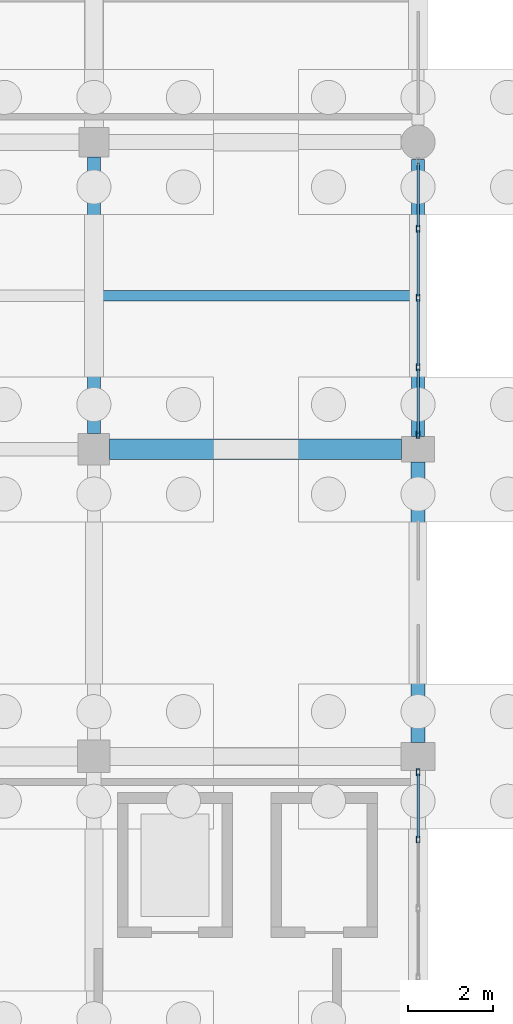
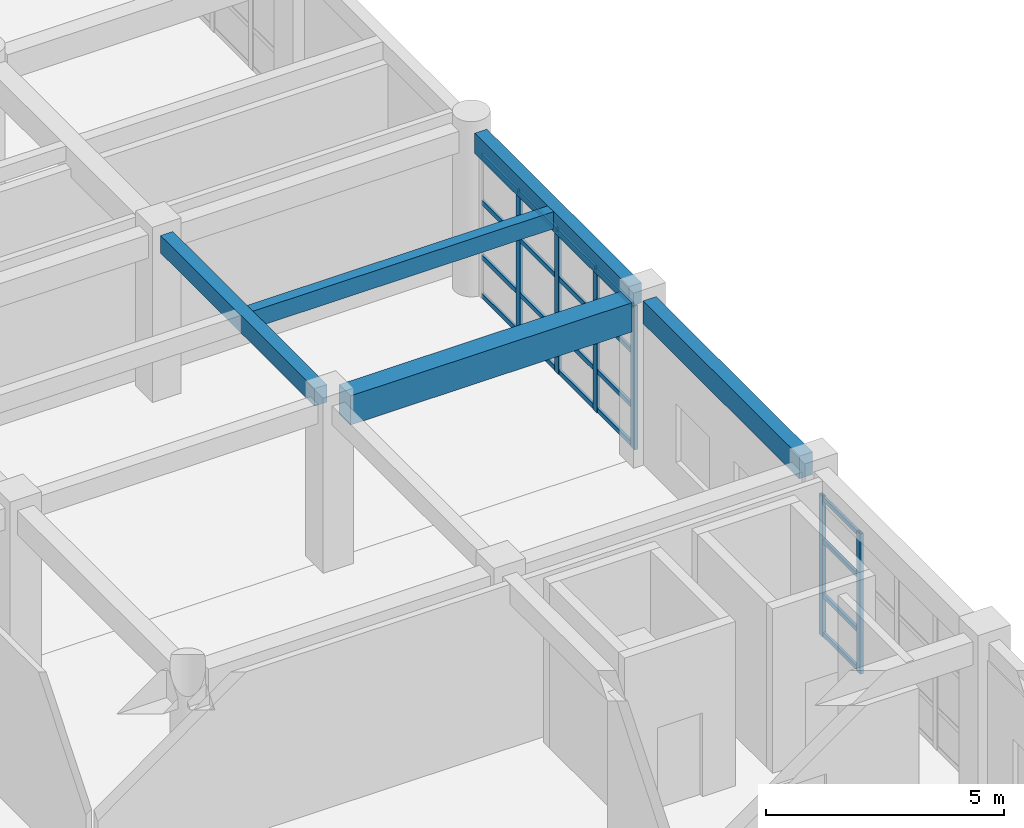
# One storey, part 103 of 166: 26 members, 5 beams, 2 elements without a shape of their own.
"""IFC4 building model written with IfcOpenShell, lengths in metres."""

from ifc_helpers import new_model, si_unit, direction, frame, origin, origin_2d, place, context, subcontext, project, spatial, rectangle, hollow_rectangle, extrude, material, material_profile, profile_set, type_object, element, aggregate, save


model = new_model("IFC4")

# Units and contexts
model_context = context("Model", 3, precision=1e-05, world=origin(), true_north=direction((0.0, 1.0)))
body_context = subcontext(model_context, "Body", "Model", "MODEL_VIEW")
ifc_project = project(units=[si_unit("LENGTHUNIT", "METRE"), si_unit("AREAUNIT", "SQUARE_METRE"), si_unit("VOLUMEUNIT", "CUBIC_METRE"), si_unit("PLANEANGLEUNIT", "RADIAN"), si_unit("MASSUNIT", "GRAM", prefix="KILO")], contexts=[model_context])

# Site, building, storey
site_placement = place(None, origin())
site = spatial("IfcSite", under=ifc_project, at=site_placement, CompositionType="ELEMENT")
building_placement = place(site_placement, origin())
building = spatial("IfcBuilding", under=site, at=building_placement, Name="Kharva Crest Polytechnic", CompositionType="ELEMENT")
storey_placement = place(building_placement, origin())
storey = spatial("IfcBuildingStorey", under=building, at=storey_placement, Name="L00", CompositionType="ELEMENT", Elevation=0.0)

# Beams
ifc_material_1 = material(Name="Concrete C35/45", Category="concrete")
ifc_material_profile_1 = material_profile(ifc_material_1, rectangle(XDim=0.300048828125, YDim=0.449951171875, at=origin_2d()), Name="RECT 300 X 450")
ifc_profile_set_1 = profile_set([ifc_material_profile_1], Name="Concrete C35/45")
beam_type_1 = type_object("IfcBeamType", Name="BM-RC-300X450", PredefinedType="BEAM", material=ifc_profile_set_1)
beam_1_placement = place(storey_placement, frame((176.39990234375, 100.77001953125, 3.9951171875), z_axis=(0.0, 1.0, 0.0), x_axis=(-1.0, 0.0, 0.0)))
element("IfcBeam", 1, at=beam_1_placement, inside=storey, type_object=beam_type_1, Name="L00 Girder 23/P-Q", PredefinedType="BEAM", context=body_context, shape_type="SweptSolid", body=[
    extrude(rectangle(XDim=0.300048828125, YDim=0.449951171875, at=origin_2d()), origin(), (0.0, 0.0, 1.0), 6.47998046875),
])
ifc_material_profile_2 = material_profile(ifc_material_1, rectangle(XDim=0.47998046875, YDim=0.75, at=origin_2d()), Name="RECT 480 X 750")
ifc_profile_set_2 = profile_set([ifc_material_profile_2], Name="Concrete C35/45")
beam_type_2 = type_object("IfcBeamType", Name="BM-RC-480X750", PredefinedType="BEAM", material=ifc_profile_set_2)
beam_2_placement = place(storey_placement, frame((176.77001953125, 100.39990234375, 3.844970703125), z_axis=(1.0, 0.0, 0.0), x_axis=(0.0, 1.0, 0.0)))
element("IfcBeam", 2, at=beam_2_placement, inside=storey, type_object=beam_type_2, Name="L00 Beam P/23-24", PredefinedType="BEAM", context=body_context, shape_type="SweptSolid", body=[
    extrude(rectangle(XDim=0.47998046875, YDim=0.75, at=origin_2d()), origin(), (0.0, 0.0, 1.0), 6.840087890625),
])

# Curtain wall, members
ifc_material_2 = material(Name="Tempered insulated glass", Category="glass")
curtain_wall_type = type_object("IfcCurtainWallType", Name="CW-SYS-COURT", PredefinedType="USERDEFINED", material=ifc_material_2)
curtain_wall_1_placement = place(storey_placement, origin())
curtain_wall_1 = element("IfcCurtainWall", 3, at=curtain_wall_1_placement, inside=storey, type_object=curtain_wall_type, Name="L00 Glazed Curtain Wall CW-018", ObjectType="CURTAIN WALL", PredefinedType="USERDEFINED")
ifc_material_3 = material(Name="Steel S355", Category="steel")
ifc_material_profile_3 = material_profile(ifc_material_3, hollow_rectangle(XDim=0.080078125, YDim=0.159912109375, WallThickness=0.0048828125, at=origin_2d()), Name="RHS 160X80X5.0")
ifc_profile_set_3 = profile_set([ifc_material_profile_3], Name="Steel S355")
member_type_1 = type_object("IfcMemberType", Name="CWM-RHS160X80", PredefinedType="MULLION", material=ifc_profile_set_3)
member_1_placement = place(storey_placement, frame((184.0, 91.253662109375, 0.0), z_axis=(0.0, 0.0, 1.0), x_axis=(-1.0, 0.0, 0.0)))
member_1 = element("IfcMember", 4, at=member_1_placement, type_object=member_type_1, Name="CW-018 mullion 4", PredefinedType="MULLION", context=body_context, shape_type="SweptSolid", body=[
    extrude(hollow_rectangle(XDim=0.080078125, YDim=0.159912109375, WallThickness=0.0048828125, at=origin_2d()), origin(), (0.0, 0.0, 1.0), 3.60009765625),
])
member_2_placement = place(storey_placement, frame((184.0, 92.830078125, 0.0), z_axis=(0.0, 0.0, 1.0), x_axis=(-1.0, 0.0, 0.0)))
member_2 = element("IfcMember", 5, at=member_2_placement, type_object=member_type_1, Name="CW-018 mullion 5", PredefinedType="MULLION", context=body_context, shape_type="SweptSolid", body=[
    extrude(hollow_rectangle(XDim=0.080078125, YDim=0.159912109375, WallThickness=0.0048828125, at=origin_2d()), origin(), (0.0, 0.0, 1.0), 3.60009765625),
])

curtain_wall_2_placement = place(storey_placement, origin())
curtain_wall_2 = element("IfcCurtainWall", 6, at=curtain_wall_2_placement, inside=storey, type_object=curtain_wall_type, Name="L00 Glazed Curtain Wall CW-019", ObjectType="CURTAIN WALL", PredefinedType="USERDEFINED")
member_3_placement = place(storey_placement, frame((184.0, 100.7451171875, 0.0), z_axis=(0.0, 0.0, 1.0), x_axis=(-1.0, 0.0, 0.0)))
member_3 = element("IfcMember", 7, at=member_3_placement, type_object=member_type_1, Name="CW-019 mullion 1", PredefinedType="MULLION", context=body_context, shape_type="SweptSolid", body=[
    extrude(hollow_rectangle(XDim=0.080078125, YDim=0.159912109375, WallThickness=0.0048828125, at=origin_2d()), origin(), (0.0, 0.0, 1.0), 3.699951171875),
])
member_4_placement = place(storey_placement, frame((184.0, 102.327392578125, 0.0), z_axis=(0.0, 0.0, 1.0), x_axis=(-1.0, 0.0, 0.0)))
member_4 = element("IfcMember", 8, at=member_4_placement, type_object=member_type_1, Name="CW-019 mullion 2", PredefinedType="MULLION", context=body_context, shape_type="SweptSolid", body=[
    extrude(hollow_rectangle(XDim=0.080078125, YDim=0.159912109375, WallThickness=0.0048828125, at=origin_2d()), origin(), (0.0, 0.0, 1.0), 3.699951171875),
])
member_5_placement = place(storey_placement, frame((184.0, 103.949951171875, 0.0), z_axis=(0.0, 0.0, 1.0), x_axis=(-1.0, 0.0, 0.0)))
member_5 = element("IfcMember", 9, at=member_5_placement, type_object=member_type_1, Name="CW-019 mullion 3", PredefinedType="MULLION", context=body_context, shape_type="SweptSolid", body=[
    extrude(hollow_rectangle(XDim=0.080078125, YDim=0.159912109375, WallThickness=0.0048828125, at=origin_2d()), origin(), (0.0, 0.0, 1.0), 3.699951171875),
])
member_6_placement = place(storey_placement, frame((184.0, 105.572509765625, 0.0), z_axis=(0.0, 0.0, 1.0), x_axis=(-1.0, 0.0, 0.0)))
member_6 = element("IfcMember", 10, at=member_6_placement, type_object=member_type_1, Name="CW-019 mullion 4", PredefinedType="MULLION", context=body_context, shape_type="SweptSolid", body=[
    extrude(hollow_rectangle(XDim=0.080078125, YDim=0.159912109375, WallThickness=0.0048828125, at=origin_2d()), origin(), (0.0, 0.0, 1.0), 3.699951171875),
])

# Member
ifc_material_profile_4 = material_profile(ifc_material_3, hollow_rectangle(XDim=0.06005859375, YDim=0.1201171875, WallThickness=0.00390625, at=origin_2d()), Name="RHS 120X60X4.0")
ifc_profile_set_4 = profile_set([ifc_material_profile_4], Name="Steel S355")
member_type_2 = type_object("IfcMemberType", Name="CWT-RHS120X60", PredefinedType="USERDEFINED", material=ifc_profile_set_4)
member_7_placement = place(storey_placement, frame((184.0, 91.293701171875, 0.06005859375), z_axis=(0.0, 1.0, 0.0), x_axis=(-1.0, 0.0, 0.0)))
member_7 = element("IfcMember", 11, at=member_7_placement, type_object=member_type_2, Name="CW-018 transom 4.1", ObjectType="TRANSOM", PredefinedType="USERDEFINED", context=body_context, shape_type="SweptSolid", body=[
    extrude(hollow_rectangle(XDim=0.06005859375, YDim=0.1201171875, WallThickness=0.00390625, at=origin_2d()), origin(), (0.0, 0.0, 1.0), 1.496337890625),
])

member_8_placement = place(storey_placement, frame((184.0, 91.293701171875, 1.050048828125), z_axis=(0.0, 1.0, 0.0), x_axis=(-1.0, 0.0, 0.0)))
member_8 = element("IfcMember", 12, at=member_8_placement, type_object=member_type_2, Name="CW-018 transom 4.2", ObjectType="TRANSOM", PredefinedType="USERDEFINED", context=body_context, shape_type="SweptSolid", body=[
    extrude(hollow_rectangle(XDim=0.06005859375, YDim=0.1201171875, WallThickness=0.00390625, at=origin_2d()), origin(), (0.0, 0.0, 1.0), 1.496337890625),
])

member_9_placement = place(storey_placement, frame((184.0, 91.293701171875, 2.449951171875), z_axis=(0.0, 1.0, 0.0), x_axis=(-1.0, 0.0, 0.0)))
member_9 = element("IfcMember", 13, at=member_9_placement, type_object=member_type_2, Name="CW-018 transom 4.3", ObjectType="TRANSOM", PredefinedType="USERDEFINED", context=body_context, shape_type="SweptSolid", body=[
    extrude(hollow_rectangle(XDim=0.06005859375, YDim=0.1201171875, WallThickness=0.00390625, at=origin_2d()), origin(), (0.0, 0.0, 1.0), 1.496337890625),
])

member_10_placement = place(storey_placement, frame((184.0, 91.293701171875, 3.5400390625), z_axis=(0.0, 1.0, 0.0), x_axis=(-1.0, 0.0, 0.0)))
member_10 = element("IfcMember", 14, at=member_10_placement, type_object=member_type_2, Name="CW-018 transom 4.4", ObjectType="TRANSOM", PredefinedType="USERDEFINED", context=body_context, shape_type="SweptSolid", body=[
    extrude(hollow_rectangle(XDim=0.06005859375, YDim=0.1201171875, WallThickness=0.00390625, at=origin_2d()), origin(), (0.0, 0.0, 1.0), 1.496337890625),
])

aggregate(curtain_wall_1, [member_1, member_2, member_7, member_8, member_9, member_10])

member_11_placement = place(storey_placement, frame((184.0, 100.784912109375, 0.06005859375), z_axis=(0.0, 1.0, 0.0), x_axis=(-1.0, 0.0, 0.0)))
member_11 = element("IfcMember", 15, at=member_11_placement, type_object=member_type_2, Name="CW-019 transom 1.1", ObjectType="TRANSOM", PredefinedType="USERDEFINED", context=body_context, shape_type="SweptSolid", body=[
    extrude(hollow_rectangle(XDim=0.06005859375, YDim=0.1201171875, WallThickness=0.00390625, at=origin_2d()), origin(), (0.0, 0.0, 1.0), 1.502685546875),
])

member_12_placement = place(storey_placement, frame((184.0, 100.784912109375, 1.050048828125), z_axis=(0.0, 1.0, 0.0), x_axis=(-1.0, 0.0, 0.0)))
member_12 = element("IfcMember", 16, at=member_12_placement, type_object=member_type_2, Name="CW-019 transom 1.2", ObjectType="TRANSOM", PredefinedType="USERDEFINED", context=body_context, shape_type="SweptSolid", body=[
    extrude(hollow_rectangle(XDim=0.06005859375, YDim=0.1201171875, WallThickness=0.00390625, at=origin_2d()), origin(), (0.0, 0.0, 1.0), 1.502685546875),
])

member_13_placement = place(storey_placement, frame((184.0, 100.784912109375, 2.449951171875), z_axis=(0.0, 1.0, 0.0), x_axis=(-1.0, 0.0, 0.0)))
member_13 = element("IfcMember", 17, at=member_13_placement, type_object=member_type_2, Name="CW-019 transom 1.3", ObjectType="TRANSOM", PredefinedType="USERDEFINED", context=body_context, shape_type="SweptSolid", body=[
    extrude(hollow_rectangle(XDim=0.06005859375, YDim=0.1201171875, WallThickness=0.00390625, at=origin_2d()), origin(), (0.0, 0.0, 1.0), 1.502685546875),
])

member_14_placement = place(storey_placement, frame((184.0, 100.784912109375, 3.639892578125), z_axis=(0.0, 1.0, 0.0), x_axis=(-1.0, 0.0, 0.0)))
member_14 = element("IfcMember", 18, at=member_14_placement, type_object=member_type_2, Name="CW-019 transom 1.4", ObjectType="TRANSOM", PredefinedType="USERDEFINED", context=body_context, shape_type="SweptSolid", body=[
    extrude(hollow_rectangle(XDim=0.06005859375, YDim=0.1201171875, WallThickness=0.00390625, at=origin_2d()), origin(), (0.0, 0.0, 1.0), 1.502685546875),
])

member_15_placement = place(storey_placement, frame((184.0, 102.367431640625, 0.06005859375), z_axis=(0.0, 1.0, 0.0), x_axis=(-1.0, 0.0, 0.0)))
member_15 = element("IfcMember", 19, at=member_15_placement, type_object=member_type_2, Name="CW-019 transom 2.1", ObjectType="TRANSOM", PredefinedType="USERDEFINED", context=body_context, shape_type="SweptSolid", body=[
    extrude(hollow_rectangle(XDim=0.06005859375, YDim=0.1201171875, WallThickness=0.00390625, at=origin_2d()), origin(), (0.0, 0.0, 1.0), 1.54248046875),
])

member_16_placement = place(storey_placement, frame((184.0, 102.367431640625, 1.050048828125), z_axis=(0.0, 1.0, 0.0), x_axis=(-1.0, 0.0, 0.0)))
member_16 = element("IfcMember", 20, at=member_16_placement, type_object=member_type_2, Name="CW-019 transom 2.2", ObjectType="TRANSOM", PredefinedType="USERDEFINED", context=body_context, shape_type="SweptSolid", body=[
    extrude(hollow_rectangle(XDim=0.06005859375, YDim=0.1201171875, WallThickness=0.00390625, at=origin_2d()), origin(), (0.0, 0.0, 1.0), 1.54248046875),
])

member_17_placement = place(storey_placement, frame((184.0, 102.367431640625, 2.449951171875), z_axis=(0.0, 1.0, 0.0), x_axis=(-1.0, 0.0, 0.0)))
member_17 = element("IfcMember", 21, at=member_17_placement, type_object=member_type_2, Name="CW-019 transom 2.3", ObjectType="TRANSOM", PredefinedType="USERDEFINED", context=body_context, shape_type="SweptSolid", body=[
    extrude(hollow_rectangle(XDim=0.06005859375, YDim=0.1201171875, WallThickness=0.00390625, at=origin_2d()), origin(), (0.0, 0.0, 1.0), 1.54248046875),
])

member_18_placement = place(storey_placement, frame((184.0, 102.367431640625, 3.639892578125), z_axis=(0.0, 1.0, 0.0), x_axis=(-1.0, 0.0, 0.0)))
member_18 = element("IfcMember", 22, at=member_18_placement, type_object=member_type_2, Name="CW-019 transom 2.4", ObjectType="TRANSOM", PredefinedType="USERDEFINED", context=body_context, shape_type="SweptSolid", body=[
    extrude(hollow_rectangle(XDim=0.06005859375, YDim=0.1201171875, WallThickness=0.00390625, at=origin_2d()), origin(), (0.0, 0.0, 1.0), 1.54248046875),
])

member_19_placement = place(storey_placement, frame((184.0, 103.989990234375, 0.06005859375), z_axis=(0.0, 1.0, 0.0), x_axis=(-1.0, 0.0, 0.0)))
member_19 = element("IfcMember", 23, at=member_19_placement, type_object=member_type_2, Name="CW-019 transom 3.1", ObjectType="TRANSOM", PredefinedType="USERDEFINED", context=body_context, shape_type="SweptSolid", body=[
    extrude(hollow_rectangle(XDim=0.06005859375, YDim=0.1201171875, WallThickness=0.00390625, at=origin_2d()), origin(), (0.0, 0.0, 1.0), 1.54248046875),
])

member_20_placement = place(storey_placement, frame((184.0, 103.989990234375, 1.050048828125), z_axis=(0.0, 1.0, 0.0), x_axis=(-1.0, 0.0, 0.0)))
member_20 = element("IfcMember", 24, at=member_20_placement, type_object=member_type_2, Name="CW-019 transom 3.2", ObjectType="TRANSOM", PredefinedType="USERDEFINED", context=body_context, shape_type="SweptSolid", body=[
    extrude(hollow_rectangle(XDim=0.06005859375, YDim=0.1201171875, WallThickness=0.00390625, at=origin_2d()), origin(), (0.0, 0.0, 1.0), 1.54248046875),
])

member_21_placement = place(storey_placement, frame((184.0, 103.989990234375, 2.449951171875), z_axis=(0.0, 1.0, 0.0), x_axis=(-1.0, 0.0, 0.0)))
member_21 = element("IfcMember", 25, at=member_21_placement, type_object=member_type_2, Name="CW-019 transom 3.3", ObjectType="TRANSOM", PredefinedType="USERDEFINED", context=body_context, shape_type="SweptSolid", body=[
    extrude(hollow_rectangle(XDim=0.06005859375, YDim=0.1201171875, WallThickness=0.00390625, at=origin_2d()), origin(), (0.0, 0.0, 1.0), 1.54248046875),
])

member_22_placement = place(storey_placement, frame((184.0, 103.989990234375, 3.639892578125), z_axis=(0.0, 1.0, 0.0), x_axis=(-1.0, 0.0, 0.0)))
member_22 = element("IfcMember", 26, at=member_22_placement, type_object=member_type_2, Name="CW-019 transom 3.4", ObjectType="TRANSOM", PredefinedType="USERDEFINED", context=body_context, shape_type="SweptSolid", body=[
    extrude(hollow_rectangle(XDim=0.06005859375, YDim=0.1201171875, WallThickness=0.00390625, at=origin_2d()), origin(), (0.0, 0.0, 1.0), 1.54248046875),
])

member_23_placement = place(storey_placement, frame((184.0, 105.612548828125, 0.06005859375), z_axis=(0.0, 1.0, 0.0), x_axis=(-1.0, 0.0, 0.0)))
member_23 = element("IfcMember", 27, at=member_23_placement, type_object=member_type_2, Name="CW-019 transom 4.1", ObjectType="TRANSOM", PredefinedType="USERDEFINED", context=body_context, shape_type="SweptSolid", body=[
    extrude(hollow_rectangle(XDim=0.06005859375, YDim=0.1201171875, WallThickness=0.00390625, at=origin_2d()), origin(), (0.0, 0.0, 1.0), 1.50244140625),
])

member_24_placement = place(storey_placement, frame((184.0, 105.612548828125, 1.050048828125), z_axis=(0.0, 1.0, 0.0), x_axis=(-1.0, 0.0, 0.0)))
member_24 = element("IfcMember", 28, at=member_24_placement, type_object=member_type_2, Name="CW-019 transom 4.2", ObjectType="TRANSOM", PredefinedType="USERDEFINED", context=body_context, shape_type="SweptSolid", body=[
    extrude(hollow_rectangle(XDim=0.06005859375, YDim=0.1201171875, WallThickness=0.00390625, at=origin_2d()), origin(), (0.0, 0.0, 1.0), 1.50244140625),
])

member_25_placement = place(storey_placement, frame((184.0, 105.612548828125, 2.449951171875), z_axis=(0.0, 1.0, 0.0), x_axis=(-1.0, 0.0, 0.0)))
member_25 = element("IfcMember", 29, at=member_25_placement, type_object=member_type_2, Name="CW-019 transom 4.3", ObjectType="TRANSOM", PredefinedType="USERDEFINED", context=body_context, shape_type="SweptSolid", body=[
    extrude(hollow_rectangle(XDim=0.06005859375, YDim=0.1201171875, WallThickness=0.00390625, at=origin_2d()), origin(), (0.0, 0.0, 1.0), 1.50244140625),
])

member_26_placement = place(storey_placement, frame((184.0, 105.612548828125, 3.639892578125), z_axis=(0.0, 1.0, 0.0), x_axis=(-1.0, 0.0, 0.0)))
member_26 = element("IfcMember", 30, at=member_26_placement, type_object=member_type_2, Name="CW-019 transom 4.4", ObjectType="TRANSOM", PredefinedType="USERDEFINED", context=body_context, shape_type="SweptSolid", body=[
    extrude(hollow_rectangle(XDim=0.06005859375, YDim=0.1201171875, WallThickness=0.00390625, at=origin_2d()), origin(), (0.0, 0.0, 1.0), 1.50244140625),
])

aggregate(curtain_wall_2, [member_3, member_4, member_5, member_6, member_11, member_12, member_13, member_14, member_15, member_16, member_17, member_18, member_19, member_20, member_21, member_22, member_23, member_24, member_25, member_26])

# Beams
ifc_material_profile_5 = material_profile(ifc_material_1, rectangle(XDim=0.25, YDim=0.43994140625, at=origin_2d()), Name="RECT 250 X 440")
ifc_profile_set_5 = profile_set([ifc_material_profile_5], Name="Concrete C35/45")
beam_type_3 = type_object("IfcBeamType", Name="JS-RC-250X440", PredefinedType="JOIST", material=ifc_profile_set_5)
beam_3_placement = place(storey_placement, frame((176.550048828125, 104.0, 4.0), z_axis=(1.0, 0.0, 0.0), x_axis=(0.0, 1.0, 0.0)))
element("IfcBeam", 31, at=beam_3_placement, inside=storey, type_object=beam_type_3, Name="L00 Floor Joist 24", PredefinedType="JOIST", context=body_context, shape_type="SweptSolid", body=[
    extrude(rectangle(XDim=0.25, YDim=0.43994140625, at=origin_2d()), origin(), (0.0, 0.0, 1.0), 7.300048828125),
])
ifc_material_profile_6 = material_profile(ifc_material_1, rectangle(XDim=0.300048828125, YDim=0.52001953125, at=origin_2d()), Name="RECT 300 X 520")
ifc_profile_set_6 = profile_set([ifc_material_profile_6], Name="Concrete C35/45")
beam_type_4 = type_object("IfcBeamType", Name="SP-RC-300X520", PredefinedType="SPANDREL", material=ifc_profile_set_6)
beam_4_placement = place(storey_placement, frame((184.0, 100.699951171875, 3.9599609375), z_axis=(0.0, 1.0, 0.0), x_axis=(-1.0, 0.0, 0.0)))
element("IfcBeam", 32, at=beam_4_placement, inside=storey, type_object=beam_type_4, Name="L00 Girder 24/P-Q", PredefinedType="SPANDREL", context=body_context, shape_type="SweptSolid", body=[
    extrude(rectangle(XDim=0.300048828125, YDim=0.52001953125, at=origin_2d()), origin(), (0.0, 0.0, 1.0), 6.5),
])
ifc_material_profile_7 = material_profile(ifc_material_1, rectangle(XDim=0.320068359375, YDim=0.580078125, at=origin_2d()), Name="RECT 320 X 580")
ifc_profile_set_7 = profile_set([ifc_material_profile_7], Name="Concrete C35/45")
beam_type_5 = type_object("IfcBeamType", Name="SP-RC-320X580", PredefinedType="SPANDREL", material=ifc_profile_set_7)
beam_5_placement = place(storey_placement, frame((184.0, 93.52490234375, 3.929931640625), z_axis=(0.0, 1.0, 0.0), x_axis=(-1.0, 0.0, 0.0)))
element("IfcBeam", 33, at=beam_5_placement, inside=storey, type_object=beam_type_5, Name="L00 Girder 24/N-P", PredefinedType="SPANDREL", context=body_context, shape_type="SweptSolid", body=[
    extrude(rectangle(XDim=0.320068359375, YDim=0.580078125, at=origin_2d()), origin(), (0.0, 0.0, 1.0), 6.5751953125),
])

save(model, "model.ifc")
